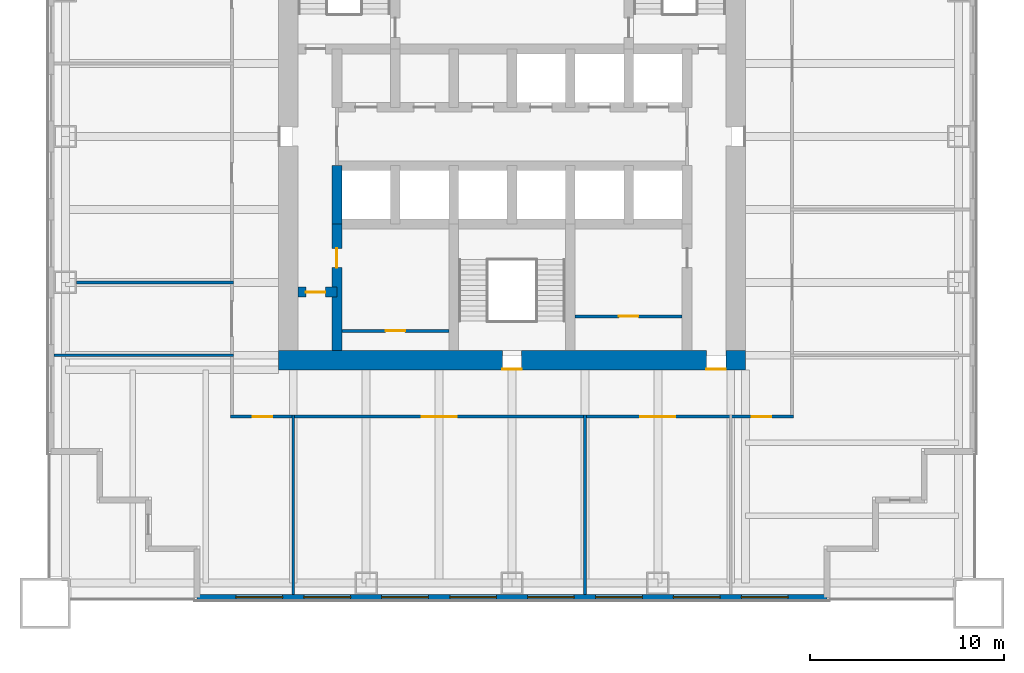
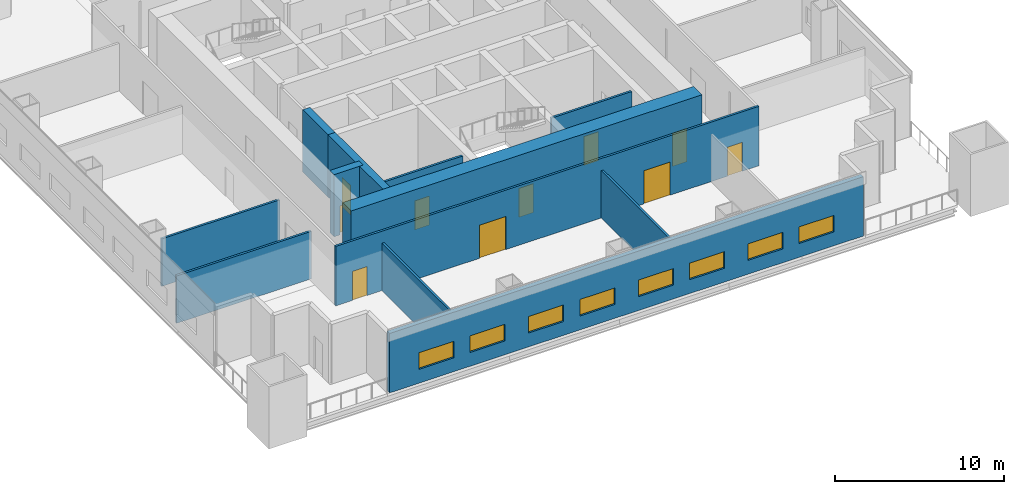
# One storey, part 2 of 6: 12 walls, 10 doors, 8 windows, 18 openings.
"""IFC4 building model written with IfcOpenShell, lengths in metres."""

from ifc_helpers import new_model, si_unit, direction, frame, frame_2d, origin, place, context, subcontext, project, spatial, rectangle, extrude, material, layer, layer_set, type_object, element, fill, save


model = new_model("IFC4")

# Units and contexts
model_context = context("Model", 3, precision=1e-05, world=origin(), true_north=direction((0.0, 1.0)))
body_context = subcontext(model_context, "Body", "Model", "MODEL_VIEW")
ifc_project = project(units=[si_unit("LENGTHUNIT", "METRE"), si_unit("AREAUNIT", "SQUARE_METRE"), si_unit("VOLUMEUNIT", "CUBIC_METRE"), si_unit("PLANEANGLEUNIT", "RADIAN"), si_unit("MASSUNIT", "GRAM", prefix="KILO")], contexts=[model_context])

# Site, building, storey
site_placement = place(None, origin())
site = spatial("IfcSite", under=ifc_project, at=site_placement, CompositionType="ELEMENT")
building_placement = place(site_placement, origin())
building = spatial("IfcBuilding", under=site, at=building_placement, Name="Tarangal Relay Tower", CompositionType="ELEMENT")
storey_placement = place(building_placement, frame((0.0, 0.0, 140.39990234375)))
storey = spatial("IfcBuildingStorey", under=building, at=storey_placement, Name="L28", CompositionType="ELEMENT", Elevation=140.39990234375)

# Wall, opening, door
ifc_material_1 = material(Name="Concrete fc' 60 MPa", Category="concrete")
ifc_layer_1 = layer(ifc_material_1, 0.5)
ifc_layer_set_1 = layer_set([ifc_layer_1], Name="Core inner wall 500")
wall_type_1 = type_object("IfcWallType", Name="Core inner wall 500", PredefinedType="SHEAR", material=ifc_layer_set_1)
wall_1_placement = place(storey_placement, frame((-11.0, -8.0, 0.0), z_axis=(0.0, 0.0, 1.0), x_axis=(1.0, 0.0, 0.0)))
wall_1 = element("IfcWall", 1, at=wall_1_placement, inside=storey, type_object=wall_type_1, Name="Core wall YM8 L28", PredefinedType="SHEAR", context=body_context, shape_type="SweptSolid", body=[
    extrude(rectangle(XDim=2.0, YDim=0.5, at=frame_2d((1.0, 0.0))), origin(), (0.0, 0.0, 1.0), 4.5),
])
opening_1_placement = place(wall_1_placement, frame((0.39990234375, 0.0, 0.0)))
opening_1 = element("IfcOpeningElement", 2, at=opening_1_placement, cuts=wall_1, Name="Opening D1", PredefinedType="OPENING", context=body_context, shape_type="SweptSolid", body=[
    extrude(rectangle(XDim=1.0, YDim=2.10009765625, at=frame_2d((0.5, 1.050048828125))), frame((0.0, 0.260009765625, 0.0), z_axis=(0.0, -1.0, 0.0), x_axis=(1.0, 0.0, 0.0)), (0.0, 0.0, 1.0), 0.52001953125),
])
ifc_material_2 = material(Name="Hardwood door", Category="wood")
door_type_1 = type_object("IfcDoorType", Name="WC door 1000 x 2100", OperationType="SINGLE_SWING_LEFT", PredefinedType="DOOR", material=ifc_material_2)
door_1_placement = place(opening_1_placement, origin())
door_1 = element("IfcDoor", 3, at=door_1_placement, inside=storey, type_object=door_type_1, Name="Accessible WC door L28", OperationType="SINGLE_SWING_LEFT", OverallHeight=2.10009765625, OverallWidth=1.0, PredefinedType="DOOR", context=body_context, shape_type="SweptSolid", body=[
    extrude(rectangle(XDim=1.0, YDim=2.10009765625, at=frame_2d((0.5, 1.050048828125))), frame((0.0, 0.02490234375, 0.0), z_axis=(0.0, -1.0, 0.0), x_axis=(1.0, 0.0, 0.0)), (0.0, 0.0, 1.0), 0.050048828125),
])
fill(opening_1, door_1)

# Wall
wall_2_placement = place(storey_placement, frame((-9.0, -4.5, 0.0), z_axis=(0.0, 0.0, 1.0), x_axis=(0.0, 1.0, 0.0)))
element("IfcWall", 4, at=wall_2_placement, inside=storey, type_object=wall_type_1, Name="Core wall XM9S L28", PredefinedType="SHEAR", context=body_context, shape_type="SweptSolid", body=[
    extrude(rectangle(XDim=3.0, YDim=0.5, at=frame_2d((1.5, 0.0))), origin(), (0.0, 0.0, 1.0), 4.5),
])

# Wall, opening, door
wall_3_placement = place(storey_placement, frame((-9.0, -11.0, 0.0), z_axis=(0.0, 0.0, 1.0), x_axis=(0.0, 1.0, 0.0)))
wall_3 = element("IfcWall", 5, at=wall_3_placement, inside=storey, type_object=wall_type_1, Name="Core wall XM9W L28", PredefinedType="SHEAR", context=body_context, shape_type="SweptSolid", body=[
    extrude(rectangle(XDim=6.5, YDim=0.5, at=frame_2d((3.25, 0.0))), origin(), (0.0, 0.0, 1.0), 4.5),
])
opening_2_placement = place(wall_3_placement, frame((4.25, 0.0, 0.0)))
opening_2 = element("IfcOpeningElement", 6, at=opening_2_placement, cuts=wall_3, Name="Opening D1", PredefinedType="OPENING", context=body_context, shape_type="SweptSolid", body=[
    extrude(rectangle(XDim=1.0, YDim=2.10009765625, at=frame_2d((0.5, 1.050048828125))), frame((0.0, 0.260009765625, 0.0), z_axis=(0.0, -1.0, 0.0), x_axis=(1.0, 0.0, 0.0)), (0.0, 0.0, 1.0), 0.52001953125),
])
door_2_placement = place(opening_2_placement, origin())
door_2 = element("IfcDoor", 7, at=door_2_placement, inside=storey, type_object=door_type_1, Name="Male WC door L28", OperationType="SINGLE_SWING_LEFT", OverallHeight=2.10009765625, OverallWidth=1.0, PredefinedType="DOOR", context=body_context, shape_type="SweptSolid", body=[
    extrude(rectangle(XDim=1.0, YDim=2.10009765625, at=frame_2d((0.5, 1.050048828125))), frame((0.0, 0.02490234375, 0.0), z_axis=(0.0, -1.0, 0.0), x_axis=(1.0, 0.0, 0.0)), (0.0, 0.0, 1.0), 0.050048828125),
])
fill(opening_2, door_2)

# Wall, openings, doors
ifc_layer_2 = layer(ifc_material_1, 1.0)
ifc_layer_set_2 = layer_set([ifc_layer_2], Name="Core wall 1000")
wall_type_2 = type_object("IfcWallType", Name="Core wall 1000", PredefinedType="SHEAR", material=ifc_layer_set_2)
wall_4_placement = place(storey_placement, frame((12.0, -11.5, 0.0), z_axis=(0.0, 0.0, 1.0), x_axis=(-1.0, 0.0, 0.0)))
wall_4 = element("IfcWall", 8, at=wall_4_placement, inside=storey, type_object=wall_type_2, Name="Core wall S L28", PredefinedType="SHEAR", context=body_context, shape_type="SweptSolid", body=[
    extrude(rectangle(XDim=24.0, YDim=1.0, at=frame_2d((12.0, 0.0))), origin(), (0.0, 0.0, 1.0), 4.5),
])
opening_3_placement = place(wall_4_placement, frame((11.5, 0.0, 0.0)))
opening_3 = element("IfcOpeningElement", 9, at=opening_3_placement, cuts=wall_4, Name="Opening FD1", PredefinedType="OPENING", context=body_context, shape_type="SweptSolid", body=[
    extrude(rectangle(XDim=1.0, YDim=2.10009765625, at=frame_2d((0.5, 1.050048828125))), frame((0.0, 0.510009765625, 0.0), z_axis=(0.0, -1.0, 0.0), x_axis=(1.0, 0.0, 0.0)), (0.0, 0.0, 1.0), 1.02001953125),
])
opening_4_placement = place(wall_4_placement, frame((1.0, 0.0, 0.0)))
opening_4 = element("IfcOpeningElement", 10, at=opening_4_placement, cuts=wall_4, Name="Opening FD3", PredefinedType="OPENING", context=body_context, shape_type="SweptSolid", body=[
    extrude(rectangle(XDim=1.0, YDim=2.39990234375, at=frame_2d((0.5, 1.199951171875))), frame((0.0, 0.510009765625, 0.0), z_axis=(0.0, -1.0, 0.0), x_axis=(1.0, 0.0, 0.0)), (0.0, 0.0, 1.0), 1.02001953125),
])
ifc_material_3 = material(Name="Steel door with hardwood frame", Category="steel")
door_type_2 = type_object("IfcDoorType", Name="Fire door 1000 x 2100", OperationType="SINGLE_SWING_LEFT", PredefinedType="DOOR", material=ifc_material_3)
door_3_placement = place(opening_3_placement, origin())
door_3 = element("IfcDoor", 11, at=door_3_placement, inside=storey, type_object=door_type_2, Name="Stair ST-C door L28", OperationType="SINGLE_SWING_LEFT", OverallHeight=2.10009765625, OverallWidth=1.0, PredefinedType="DOOR", context=body_context, shape_type="SweptSolid", body=[
    extrude(rectangle(XDim=1.0, YDim=2.10009765625, at=frame_2d((0.5, 1.050048828125))), frame((0.0, 0.48486328125, 0.0), z_axis=(0.0, -1.0, 0.0), x_axis=(1.0, 0.0, 0.0)), (0.0, 0.0, 1.0), 0.050048828125),
])
fill(opening_3, door_3)
door_type_3 = type_object("IfcDoorType", Name="Fire door 1000 x 2400 core entry", OperationType="SINGLE_SWING_RIGHT", PredefinedType="DOOR", material=ifc_material_3)
door_4_placement = place(opening_4_placement, origin())
door_4 = element("IfcDoor", 12, at=door_4_placement, inside=storey, type_object=door_type_3, Name="Core entry door south east L28", OperationType="SINGLE_SWING_RIGHT", OverallHeight=2.39990234375, OverallWidth=1.0, PredefinedType="DOOR", context=body_context, shape_type="SweptSolid", body=[
    extrude(rectangle(XDim=1.0, YDim=2.39990234375, at=frame_2d((0.5, 1.199951171875))), frame((0.0, 0.48486328125, 0.0), z_axis=(0.0, -1.0, 0.0), x_axis=(1.0, 0.0, 0.0)), (0.0, 0.0, 1.0), 0.050048828125),
])
fill(opening_4, door_4)

# Wall, openings, windows
ifc_material_4 = material(Name="Insulated precast concrete fc' 40 MPa", Category="concrete")
ifc_layer_3 = layer(ifc_material_4, 0.300048828125)
ifc_layer_set_3 = layer_set([ifc_layer_3], Name="Insulated precast concrete fc' 40 MPa")
wall_type_3 = type_object("IfcWallType", Name="Facade wall precast 300", PredefinedType="SOLIDWALL", material=ifc_layer_set_3)
wall_5_placement = place(storey_placement, frame((16.199951171875, -23.699951171875, 0.0), z_axis=(0.0, 0.0, 1.0), x_axis=(-1.0, 0.0, 0.0)))
wall_5 = element("IfcWall", 13, at=wall_5_placement, inside=storey, type_object=wall_type_3, Name="Facade wall S facade L28", PredefinedType="SOLIDWALL", context=body_context, shape_type="SweptSolid", body=[
    extrude(rectangle(XDim=32.39990234375, YDim=0.300048828125, at=frame_2d((16.199951171875, 0.0))), origin(), (0.0, 0.0, 1.0), 4.300048828125),
])
opening_5_placement = place(wall_5_placement, frame((2.0, 0.0, 1.0)))
opening_5 = element("IfcOpeningElement", 14, at=opening_5_placement, cuts=wall_5, Name="Opening WN1", PredefinedType="OPENING", context=body_context, shape_type="SweptSolid", body=[
    extrude(rectangle(XDim=2.39990234375, YDim=1.199951171875, at=frame_2d((1.199951171875, 0.60009765625))), frame((0.0, 0.159912109375, 0.0), z_axis=(0.0, -1.0, 0.0), x_axis=(1.0, 0.0, 0.0)), (0.0, 0.0, 1.0), 0.320068359375),
])
opening_6_placement = place(wall_5_placement, frame((5.5, 0.0, 1.0)))
opening_6 = element("IfcOpeningElement", 15, at=opening_6_placement, cuts=wall_5, Name="Opening WN1", PredefinedType="OPENING", context=body_context, shape_type="SweptSolid", body=[
    extrude(rectangle(XDim=2.39990234375, YDim=1.199951171875, at=frame_2d((1.199951171875, 0.60009765625))), frame((0.0, 0.159912109375, 0.0), z_axis=(0.0, -1.0, 0.0), x_axis=(1.0, 0.0, 0.0)), (0.0, 0.0, 1.0), 0.320068359375),
])
opening_7_placement = place(wall_5_placement, frame((9.5, 0.0, 1.0)))
opening_7 = element("IfcOpeningElement", 16, at=opening_7_placement, cuts=wall_5, Name="Opening WN1", PredefinedType="OPENING", context=body_context, shape_type="SweptSolid", body=[
    extrude(rectangle(XDim=2.39990234375, YDim=1.199951171875, at=frame_2d((1.199951171875, 0.60009765625))), frame((0.0, 0.159912109375, 0.0), z_axis=(0.0, -1.0, 0.0), x_axis=(1.0, 0.0, 0.0)), (0.0, 0.0, 1.0), 0.320068359375),
])
opening_8_placement = place(wall_5_placement, frame((13.0, 0.0, 1.0)))
opening_8 = element("IfcOpeningElement", 17, at=opening_8_placement, cuts=wall_5, Name="Opening WN1", PredefinedType="OPENING", context=body_context, shape_type="SweptSolid", body=[
    extrude(rectangle(XDim=2.39990234375, YDim=1.199951171875, at=frame_2d((1.199951171875, 0.60009765625))), frame((0.0, 0.159912109375, 0.0), z_axis=(0.0, -1.0, 0.0), x_axis=(1.0, 0.0, 0.0)), (0.0, 0.0, 1.0), 0.320068359375),
])
opening_9_placement = place(wall_5_placement, frame((17.0, 0.0, 1.0)))
opening_9 = element("IfcOpeningElement", 18, at=opening_9_placement, cuts=wall_5, Name="Opening WN1", PredefinedType="OPENING", context=body_context, shape_type="SweptSolid", body=[
    extrude(rectangle(XDim=2.39990234375, YDim=1.199951171875, at=frame_2d((1.199951171875, 0.60009765625))), frame((0.0, 0.159912109375, 0.0), z_axis=(0.0, -1.0, 0.0), x_axis=(1.0, 0.0, 0.0)), (0.0, 0.0, 1.0), 0.320068359375),
])
opening_10_placement = place(wall_5_placement, frame((20.5, 0.0, 1.0)))
opening_10 = element("IfcOpeningElement", 19, at=opening_10_placement, cuts=wall_5, Name="Opening WN1", PredefinedType="OPENING", context=body_context, shape_type="SweptSolid", body=[
    extrude(rectangle(XDim=2.39990234375, YDim=1.199951171875, at=frame_2d((1.199951171875, 0.60009765625))), frame((0.0, 0.159912109375, 0.0), z_axis=(0.0, -1.0, 0.0), x_axis=(1.0, 0.0, 0.0)), (0.0, 0.0, 1.0), 0.320068359375),
])
opening_11_placement = place(wall_5_placement, frame((24.5, 0.0, 1.0)))
opening_11 = element("IfcOpeningElement", 20, at=opening_11_placement, cuts=wall_5, Name="Opening WN1", PredefinedType="OPENING", context=body_context, shape_type="SweptSolid", body=[
    extrude(rectangle(XDim=2.39990234375, YDim=1.199951171875, at=frame_2d((1.199951171875, 0.60009765625))), frame((0.0, 0.159912109375, 0.0), z_axis=(0.0, -1.0, 0.0), x_axis=(1.0, 0.0, 0.0)), (0.0, 0.0, 1.0), 0.320068359375),
])
opening_12_placement = place(wall_5_placement, frame((28.0, 0.0, 1.0)))
opening_12 = element("IfcOpeningElement", 21, at=opening_12_placement, cuts=wall_5, Name="Opening WN1", PredefinedType="OPENING", context=body_context, shape_type="SweptSolid", body=[
    extrude(rectangle(XDim=2.39990234375, YDim=1.199951171875, at=frame_2d((1.199951171875, 0.60009765625))), frame((0.0, 0.159912109375, 0.0), z_axis=(0.0, -1.0, 0.0), x_axis=(1.0, 0.0, 0.0)), (0.0, 0.0, 1.0), 0.320068359375),
])
ifc_material_5 = material(Name="Dark tinted double glazing in black aluminium frame", Category="aluminium")
window_type = type_object("IfcWindowType", Name="Ribbon window 2400 x 1200", PartitioningType="SINGLE_PANEL", PredefinedType="WINDOW", material=ifc_material_5)
window_1_placement = place(opening_5_placement, origin())
window_1 = element("IfcWindow", 22, at=window_1_placement, inside=storey, type_object=window_type, Name="Ribbon window WN1 S facade L28", OverallHeight=1.199951171875, OverallWidth=2.39990234375, PartitioningType="SINGLE_PANEL", PredefinedType="WINDOW", context=body_context, shape_type="SweptSolid", body=[
    extrude(rectangle(XDim=2.39990234375, YDim=1.199951171875, at=frame_2d((1.199951171875, 0.60009765625))), frame((0.0, 0.030029296875, 0.0), z_axis=(0.0, -1.0, 0.0), x_axis=(1.0, 0.0, 0.0)), (0.0, 0.0, 1.0), 0.06005859375),
])
fill(opening_5, window_1)
window_2_placement = place(opening_6_placement, origin())
window_2 = element("IfcWindow", 23, at=window_2_placement, inside=storey, type_object=window_type, Name="Ribbon window WN1 S facade L28", OverallHeight=1.199951171875, OverallWidth=2.39990234375, PartitioningType="SINGLE_PANEL", PredefinedType="WINDOW", context=body_context, shape_type="SweptSolid", body=[
    extrude(rectangle(XDim=2.39990234375, YDim=1.199951171875, at=frame_2d((1.199951171875, 0.60009765625))), frame((0.0, 0.030029296875, 0.0), z_axis=(0.0, -1.0, 0.0), x_axis=(1.0, 0.0, 0.0)), (0.0, 0.0, 1.0), 0.06005859375),
])
fill(opening_6, window_2)
window_3_placement = place(opening_7_placement, origin())
window_3 = element("IfcWindow", 24, at=window_3_placement, inside=storey, type_object=window_type, Name="Ribbon window WN1 S facade L28", OverallHeight=1.199951171875, OverallWidth=2.39990234375, PartitioningType="SINGLE_PANEL", PredefinedType="WINDOW", context=body_context, shape_type="SweptSolid", body=[
    extrude(rectangle(XDim=2.39990234375, YDim=1.199951171875, at=frame_2d((1.199951171875, 0.60009765625))), frame((0.0, 0.030029296875, 0.0), z_axis=(0.0, -1.0, 0.0), x_axis=(1.0, 0.0, 0.0)), (0.0, 0.0, 1.0), 0.06005859375),
])
fill(opening_7, window_3)
window_4_placement = place(opening_8_placement, origin())
window_4 = element("IfcWindow", 25, at=window_4_placement, inside=storey, type_object=window_type, Name="Ribbon window WN1 S facade L28", OverallHeight=1.199951171875, OverallWidth=2.39990234375, PartitioningType="SINGLE_PANEL", PredefinedType="WINDOW", context=body_context, shape_type="SweptSolid", body=[
    extrude(rectangle(XDim=2.39990234375, YDim=1.199951171875, at=frame_2d((1.199951171875, 0.60009765625))), frame((0.0, 0.030029296875, 0.0), z_axis=(0.0, -1.0, 0.0), x_axis=(1.0, 0.0, 0.0)), (0.0, 0.0, 1.0), 0.06005859375),
])
fill(opening_8, window_4)
window_5_placement = place(opening_9_placement, origin())
window_5 = element("IfcWindow", 26, at=window_5_placement, inside=storey, type_object=window_type, Name="Ribbon window WN1 S facade L28", OverallHeight=1.199951171875, OverallWidth=2.39990234375, PartitioningType="SINGLE_PANEL", PredefinedType="WINDOW", context=body_context, shape_type="SweptSolid", body=[
    extrude(rectangle(XDim=2.39990234375, YDim=1.199951171875, at=frame_2d((1.199951171875, 0.60009765625))), frame((0.0, 0.030029296875, 0.0), z_axis=(0.0, -1.0, 0.0), x_axis=(1.0, 0.0, 0.0)), (0.0, 0.0, 1.0), 0.06005859375),
])
fill(opening_9, window_5)
window_6_placement = place(opening_10_placement, origin())
window_6 = element("IfcWindow", 27, at=window_6_placement, inside=storey, type_object=window_type, Name="Ribbon window WN1 S facade L28", OverallHeight=1.199951171875, OverallWidth=2.39990234375, PartitioningType="SINGLE_PANEL", PredefinedType="WINDOW", context=body_context, shape_type="SweptSolid", body=[
    extrude(rectangle(XDim=2.39990234375, YDim=1.199951171875, at=frame_2d((1.199951171875, 0.60009765625))), frame((0.0, 0.030029296875, 0.0), z_axis=(0.0, -1.0, 0.0), x_axis=(1.0, 0.0, 0.0)), (0.0, 0.0, 1.0), 0.06005859375),
])
fill(opening_10, window_6)
window_7_placement = place(opening_11_placement, origin())
window_7 = element("IfcWindow", 28, at=window_7_placement, inside=storey, type_object=window_type, Name="Ribbon window WN1 S facade L28", OverallHeight=1.199951171875, OverallWidth=2.39990234375, PartitioningType="SINGLE_PANEL", PredefinedType="WINDOW", context=body_context, shape_type="SweptSolid", body=[
    extrude(rectangle(XDim=2.39990234375, YDim=1.199951171875, at=frame_2d((1.199951171875, 0.60009765625))), frame((0.0, 0.030029296875, 0.0), z_axis=(0.0, -1.0, 0.0), x_axis=(1.0, 0.0, 0.0)), (0.0, 0.0, 1.0), 0.06005859375),
])
fill(opening_11, window_7)
window_8_placement = place(opening_12_placement, origin())
window_8 = element("IfcWindow", 29, at=window_8_placement, inside=storey, type_object=window_type, Name="Ribbon window WN1 S facade L28", OverallHeight=1.199951171875, OverallWidth=2.39990234375, PartitioningType="SINGLE_PANEL", PredefinedType="WINDOW", context=body_context, shape_type="SweptSolid", body=[
    extrude(rectangle(XDim=2.39990234375, YDim=1.199951171875, at=frame_2d((1.199951171875, 0.60009765625))), frame((0.0, 0.030029296875, 0.0), z_axis=(0.0, -1.0, 0.0), x_axis=(1.0, 0.0, 0.0)), (0.0, 0.0, 1.0), 0.06005859375),
])
fill(opening_12, window_8)

# Wall, openings, doors
ifc_material_6 = material(Name="Gypsum board on steel studs", Category="steel")
ifc_layer_4 = layer(ifc_material_6, 0.14990234375)
ifc_layer_set_4 = layer_set([ifc_layer_4], Name="Partition 150")
wall_type_4 = type_object("IfcWallType", Name="Partition 150", PredefinedType="PARTITIONING", material=ifc_layer_set_4)
wall_6_placement = place(storey_placement, frame((-14.47509765625, -14.39990234375, 0.0), z_axis=(0.0, 0.0, 1.0), x_axis=(1.0, 0.0, 0.0)))
wall_6 = element("IfcWall", 30, at=wall_6_placement, inside=storey, type_object=wall_type_4, Name="Partition PT1 L28", PredefinedType="PARTITIONING", context=body_context, shape_type="SweptSolid", body=[
    extrude(rectangle(XDim=28.9501953125, YDim=0.14990234375, at=frame_2d((14.47509765625, 0.0))), origin(), (0.0, 0.0, 1.0), 4.300048828125),
])
opening_13_placement = place(wall_6_placement, frame((21.074951171875, 0.0, 0.0)))
opening_13 = element("IfcOpeningElement", 31, at=opening_13_placement, cuts=wall_6, Name="Opening DD1", PredefinedType="OPENING", context=body_context, shape_type="SweptSolid", body=[
    extrude(rectangle(XDim=1.800048828125, YDim=2.39990234375, at=frame_2d((0.89990234375, 1.199951171875))), frame((0.0, 0.0849609375, 0.0), z_axis=(0.0, -1.0, 0.0), x_axis=(1.0, 0.0, 0.0)), (0.0, 0.0, 1.0), 0.169921875),
])
opening_14_placement = place(wall_6_placement, frame((9.824951171875, 0.0, 0.0)))
opening_14 = element("IfcOpeningElement", 32, at=opening_14_placement, cuts=wall_6, Name="Opening DD1", PredefinedType="OPENING", context=body_context, shape_type="SweptSolid", body=[
    extrude(rectangle(XDim=1.800048828125, YDim=2.39990234375, at=frame_2d((0.89990234375, 1.199951171875))), frame((0.0, 0.0849609375, 0.0), z_axis=(0.0, -1.0, 0.0), x_axis=(1.0, 0.0, 0.0)), (0.0, 0.0, 1.0), 0.169921875),
])
opening_15_placement = place(wall_6_placement, frame((26.800048828125, 0.0, 0.0)))
opening_15 = element("IfcOpeningElement", 33, at=opening_15_placement, cuts=wall_6, Name="Opening D2", PredefinedType="OPENING", context=body_context, shape_type="SweptSolid", body=[
    extrude(rectangle(XDim=1.0, YDim=2.10009765625, at=frame_2d((0.5, 1.050048828125))), frame((0.0, 0.0849609375, 0.0), z_axis=(0.0, -1.0, 0.0), x_axis=(1.0, 0.0, 0.0)), (0.0, 0.0, 1.0), 0.169921875),
])
opening_16_placement = place(wall_6_placement, frame((1.14990234375, 0.0, 0.0)))
opening_16 = element("IfcOpeningElement", 34, at=opening_16_placement, cuts=wall_6, Name="Opening D2", PredefinedType="OPENING", context=body_context, shape_type="SweptSolid", body=[
    extrude(rectangle(XDim=1.0, YDim=2.10009765625, at=frame_2d((0.5, 1.050048828125))), frame((0.0, 0.0849609375, 0.0), z_axis=(0.0, -1.0, 0.0), x_axis=(1.0, 0.0, 0.0)), (0.0, 0.0, 1.0), 0.169921875),
])
door_type_4 = type_object("IfcDoorType", Name="Door 1000 x 2100", OperationType="SINGLE_SWING_LEFT", PredefinedType="DOOR", material=ifc_material_2)
door_5_placement = place(opening_15_placement, origin())
door_5 = element("IfcDoor", 35, at=door_5_placement, inside=storey, type_object=door_type_4, Name="Door D2 to engineering office L28-11", OperationType="SINGLE_SWING_LEFT", OverallHeight=2.10009765625, OverallWidth=1.0, PredefinedType="DOOR", context=body_context, shape_type="SweptSolid", body=[
    extrude(rectangle(XDim=1.0, YDim=2.10009765625, at=frame_2d((0.5, 1.050048828125))), frame((0.0, 0.02490234375, 0.0), z_axis=(0.0, -1.0, 0.0), x_axis=(1.0, 0.0, 0.0)), (0.0, 0.0, 1.0), 0.050048828125),
])
fill(opening_15, door_5)
door_6_placement = place(opening_16_placement, origin())
door_6 = element("IfcDoor", 36, at=door_6_placement, inside=storey, type_object=door_type_4, Name="Door D2 to carrier staff office L28-12", OperationType="SINGLE_SWING_LEFT", OverallHeight=2.10009765625, OverallWidth=1.0, PredefinedType="DOOR", context=body_context, shape_type="SweptSolid", body=[
    extrude(rectangle(XDim=1.0, YDim=2.10009765625, at=frame_2d((0.5, 1.050048828125))), frame((0.0, 0.02490234375, 0.0), z_axis=(0.0, -1.0, 0.0), x_axis=(1.0, 0.0, 0.0)), (0.0, 0.0, 1.0), 0.050048828125),
])
fill(opening_16, door_6)
door_type_5 = type_object("IfcDoorType", Name="Equipment double door 1800 x 2400", OperationType="DOUBLE_DOOR_SINGLE_SWING", PredefinedType="DOOR", material=ifc_material_3)
door_7_placement = place(opening_13_placement, origin())
door_7 = element("IfcDoor", 37, at=door_7_placement, inside=storey, type_object=door_type_5, Name="Door DD1 to rectifier and battery room L28-05", OperationType="DOUBLE_DOOR_SINGLE_SWING", OverallHeight=2.39990234375, OverallWidth=1.800048828125, PredefinedType="DOOR", context=body_context, shape_type="SweptSolid", body=[
    extrude(rectangle(XDim=1.800048828125, YDim=2.39990234375, at=frame_2d((0.89990234375, 1.199951171875))), frame((0.0, 0.02490234375, 0.0), z_axis=(0.0, -1.0, 0.0), x_axis=(1.0, 0.0, 0.0)), (0.0, 0.0, 1.0), 0.050048828125),
])
fill(opening_13, door_7)
door_8_placement = place(opening_14_placement, origin())
door_8 = element("IfcDoor", 38, at=door_8_placement, inside=storey, type_object=door_type_5, Name="Door DD1 to telecom equipment room L28-06", OperationType="DOUBLE_DOOR_SINGLE_SWING", OverallHeight=2.39990234375, OverallWidth=1.800048828125, PredefinedType="DOOR", context=body_context, shape_type="SweptSolid", body=[
    extrude(rectangle(XDim=1.800048828125, YDim=2.39990234375, at=frame_2d((0.89990234375, 1.199951171875))), frame((0.0, 0.02490234375, 0.0), z_axis=(0.0, -1.0, 0.0), x_axis=(1.0, 0.0, 0.0)), (0.0, 0.0, 1.0), 0.050048828125),
])
fill(opening_14, door_8)

# Walls
wall_7_placement = place(storey_placement, frame((-23.550048828125, -11.25, 0.0), z_axis=(0.0, 0.0, 1.0), x_axis=(1.0, 0.0, 0.0)))
element("IfcWall", 39, at=wall_7_placement, inside=storey, type_object=wall_type_4, Name="Partition PT1 L28", PredefinedType="PARTITIONING", context=body_context, shape_type="SweptSolid", body=[
    extrude(rectangle(XDim=9.22509765625, YDim=0.14990234375, at=frame_2d((4.612548828125, 0.0))), origin(), (0.0, 0.0, 1.0), 3.431396484375),
])
wall_8_placement = place(storey_placement, frame((-22.389892578125, -7.5, 0.0), z_axis=(0.0, 0.0, 1.0), x_axis=(1.0, 0.0, 0.0)))
element("IfcWall", 40, at=wall_8_placement, inside=storey, type_object=wall_type_4, Name="Partition PT1 L28", PredefinedType="PARTITIONING", context=body_context, shape_type="SweptSolid", body=[
    extrude(rectangle(XDim=8.06494140625, YDim=0.14990234375, at=frame_2d((4.032470703125, 0.0))), origin(), (0.0, 0.0, 1.0), 3.431396484375),
])
for number, where, z_axis, x_axis, name in (
    (41, (-11.25, -23.550048828125, 0.0), (0.0, 0.0, 1.0), (0.0, 1.0, 0.0), "Partition PT1 L28"),
    (42, (3.75, -23.550048828125, 0.0), (0.0, 0.0, 1.0), (0.0, 1.0, 0.0), "Partition PT1 L28"),
):
    element("IfcWall", number, at=place(storey_placement, frame(where, z_axis=z_axis, x_axis=x_axis)), inside=storey, type_object=wall_type_4, Name=name, PredefinedType="PARTITIONING", context=body_context, shape_type="SweptSolid", body=[
        extrude(rectangle(XDim=9.22509765625, YDim=0.14990234375, at=frame_2d((4.612548828125, 0.0))), origin(), (0.0, 0.0, 1.0), 3.431396484375),
    ])

# Wall, opening, door
wall_9_placement = place(storey_placement, frame((-8.75, -10.0, 0.0), z_axis=(0.0, 0.0, 1.0), x_axis=(1.0, 0.0, 0.0)))
wall_9 = element("IfcWall", 43, at=wall_9_placement, inside=storey, type_object=wall_type_4, Name="Partition PT1 L28", PredefinedType="PARTITIONING", context=body_context, shape_type="SweptSolid", body=[
    extrude(rectangle(XDim=5.5, YDim=0.14990234375, at=frame_2d((2.75, 0.0))), origin(), (0.0, 0.0, 1.0), 4.25),
])
opening_17_placement = place(wall_9_placement, frame((2.25, 0.0, 0.0)))
opening_17 = element("IfcOpeningElement", 44, at=opening_17_placement, cuts=wall_9, Name="Opening D1", PredefinedType="OPENING", context=body_context, shape_type="SweptSolid", body=[
    extrude(rectangle(XDim=1.0, YDim=2.10009765625, at=frame_2d((0.5, 1.050048828125))), frame((0.0, 0.0849609375, 0.0), z_axis=(0.0, -1.0, 0.0), x_axis=(1.0, 0.0, 0.0)), (0.0, 0.0, 1.0), 0.169921875),
])
door_9_placement = place(opening_17_placement, origin())
door_9 = element("IfcDoor", 45, at=door_9_placement, inside=storey, type_object=door_type_1, Name="Door D1 to male shower room L28-C7B", OperationType="SINGLE_SWING_LEFT", OverallHeight=2.10009765625, OverallWidth=1.0, PredefinedType="DOOR", context=body_context, shape_type="SweptSolid", body=[
    extrude(rectangle(XDim=1.0, YDim=2.10009765625, at=frame_2d((0.5, 1.050048828125))), frame((0.0, 0.02490234375, 0.0), z_axis=(0.0, -1.0, 0.0), x_axis=(1.0, 0.0, 0.0)), (0.0, 0.0, 1.0), 0.050048828125),
])
fill(opening_17, door_9)

wall_10_placement = place(storey_placement, frame((3.25, -9.25, 0.0), z_axis=(0.0, 0.0, 1.0), x_axis=(1.0, 0.0, 0.0)))
wall_10 = element("IfcWall", 46, at=wall_10_placement, inside=storey, type_object=wall_type_4, Name="Partition PT1 L28", PredefinedType="PARTITIONING", context=body_context, shape_type="SweptSolid", body=[
    extrude(rectangle(XDim=5.5, YDim=0.14990234375, at=frame_2d((2.75, 0.0))), origin(), (0.0, 0.0, 1.0), 4.25),
])
opening_18_placement = place(wall_10_placement, frame((2.25, 0.0, 0.0)))
opening_18 = element("IfcOpeningElement", 47, at=opening_18_placement, cuts=wall_10, Name="Opening D1", PredefinedType="OPENING", context=body_context, shape_type="SweptSolid", body=[
    extrude(rectangle(XDim=1.0, YDim=2.10009765625, at=frame_2d((0.5, 1.050048828125))), frame((0.0, 0.0849609375, 0.0), z_axis=(0.0, -1.0, 0.0), x_axis=(1.0, 0.0, 0.0)), (0.0, 0.0, 1.0), 0.169921875),
])
door_10_placement = place(opening_18_placement, origin())
door_10 = element("IfcDoor", 48, at=door_10_placement, inside=storey, type_object=door_type_1, Name="Door D1 to female shower and changing room L28-C10B", OperationType="SINGLE_SWING_LEFT", OverallHeight=2.10009765625, OverallWidth=1.0, PredefinedType="DOOR", context=body_context, shape_type="SweptSolid", body=[
    extrude(rectangle(XDim=1.0, YDim=2.10009765625, at=frame_2d((0.5, 1.050048828125))), frame((0.0, 0.02490234375, 0.0), z_axis=(0.0, -1.0, 0.0), x_axis=(1.0, 0.0, 0.0)), (0.0, 0.0, 1.0), 0.050048828125),
])
fill(opening_18, door_10)

save(model, "model.ifc")
